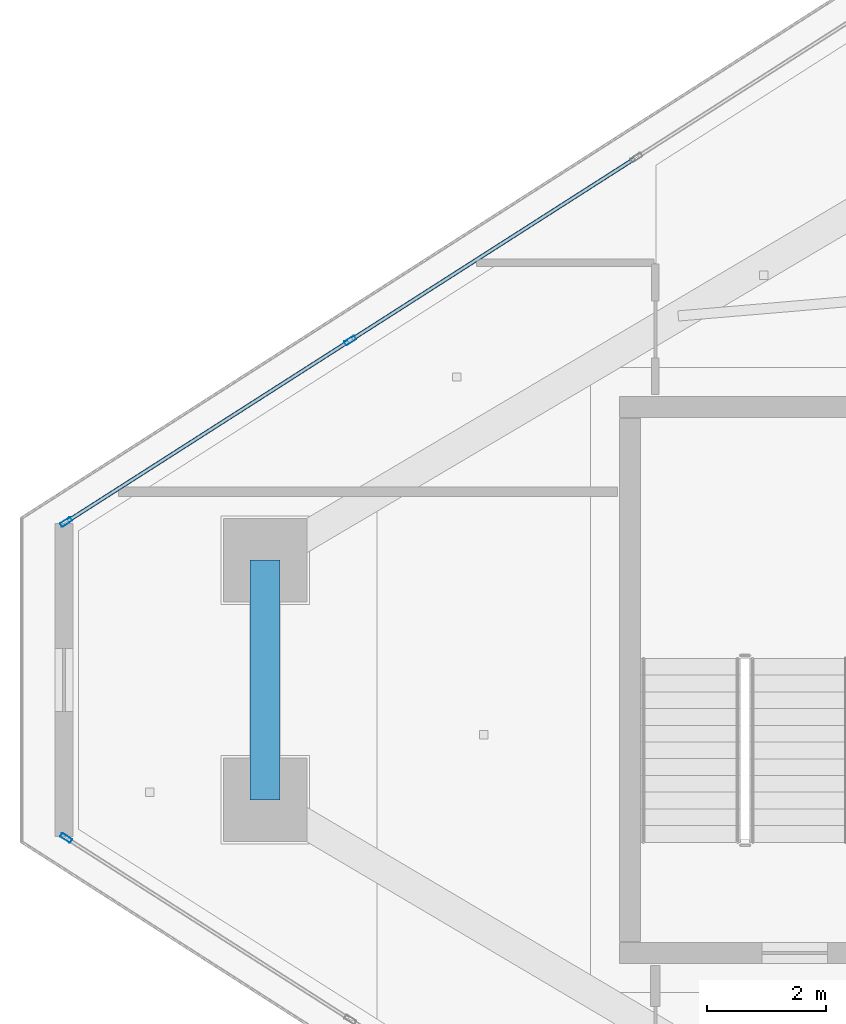
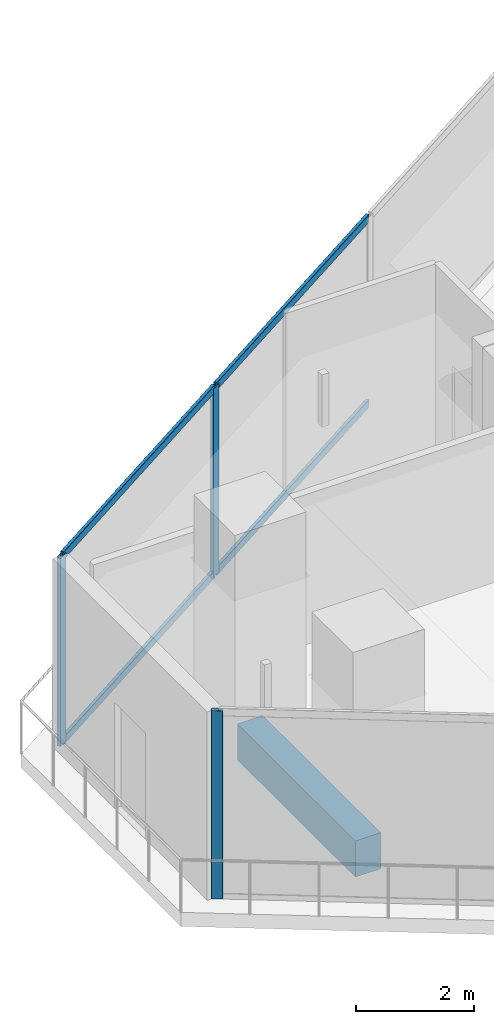
# One storey, part 6 of 24: 7 members, 1 beam, 2 elements without a shape of their own.
"""IFC4 building model written with IfcOpenShell, lengths in metres."""

from ifc_helpers import new_model, si_unit, direction, frame, origin, origin_2d, place, context, subcontext, project, spatial, rectangle, hollow_rectangle, extrude, material, layer, layer_set, material_profile, profile_set, type_object, element, aggregate, save


model = new_model("IFC4")

# Units and contexts
model_context = context("Model", 3, precision=1e-05, world=origin(), true_north=direction((0.0, 1.0)))
body_context = subcontext(model_context, "Body", "Model", "MODEL_VIEW")
ifc_project = project(units=[si_unit("LENGTHUNIT", "METRE"), si_unit("AREAUNIT", "SQUARE_METRE"), si_unit("VOLUMEUNIT", "CUBIC_METRE"), si_unit("PLANEANGLEUNIT", "RADIAN"), si_unit("MASSUNIT", "GRAM", prefix="KILO")], contexts=[model_context])

# Site, building, storey
site_placement = place(None, origin())
site = spatial("IfcSite", under=ifc_project, at=site_placement, CompositionType="ELEMENT")
building_placement = place(site_placement, origin())
building = spatial("IfcBuilding", under=site, at=building_placement, Name="Qorvath Tower", CompositionType="ELEMENT")
storey_placement = place(building_placement, frame((0.0, 0.0, 318.60009765625)))
storey = spatial("IfcBuildingStorey", under=building, at=storey_placement, Name="L74", CompositionType="ELEMENT", Elevation=318.60009765625)

# Beam
ifc_material_1 = material(Name="Concrete C45/55", Category="concrete")
ifc_material_profile_1 = material_profile(ifc_material_1, rectangle(XDim=0.5, YDim=0.75, at=origin_2d()), Name="RCB 750x500")
ifc_profile_set_1 = profile_set([ifc_material_profile_1], Name="Concrete C45/55")
beam_type = type_object("IfcBeamType", Name="BM-RCB3", PredefinedType="SPANDREL", material=ifc_profile_set_1)
beam_placement = place(storey_placement, frame((-44.402587890625, 2.007568359375, -0.6650390625), z_axis=(0.0, -1.0, 0.0), x_axis=(1.0, 0.0, 0.0)))
element("IfcBeam", 1, at=beam_placement, inside=storey, type_object=beam_type, Name="Perimeter Loggia Frame Beam MC1-MC2 L74", PredefinedType="SPANDREL", context=body_context, shape_type="SweptSolid", body=[
    extrude(rectangle(XDim=0.5, YDim=0.75, at=origin_2d()), origin(), (0.0, 0.0, 1.0), 4.01513671875),
])

# Curtain wall, member
ifc_material_2 = material(Name="Anodised aluminium and triple low-E glass", Category="aluminium")
ifc_layer = layer(ifc_material_2, 0.179931640625)
ifc_layer_set = layer_set([ifc_layer], Name="CW-SYS-4")
curtain_wall_type = type_object("IfcCurtainWallType", Name="CW-SYS-4", PredefinedType="NOTDEFINED", material=ifc_layer_set)
curtain_wall_1_placement = place(storey_placement, origin())
curtain_wall_1 = element("IfcCurtainWall", 2, at=curtain_wall_1_placement, inside=storey, type_object=curtain_wall_type, Name="Curtain Wall CW-4 CW-T-L74-2.1", PredefinedType="NOTDEFINED")
ifc_material_3 = material(Name="Anodised aluminium 6063-T6", Category="aluminium")
ifc_material_profile_2 = material_profile(ifc_material_3, hollow_rectangle(XDim=0.074951171875, YDim=0.199951171875, WallThickness=0.00390625, InnerFilletRadius=0.00390625, OuterFilletRadius=0.008056640625, at=origin_2d()), Name="CWM 200x75")
ifc_profile_set_2 = profile_set([ifc_material_profile_2], Name="Anodised aluminium 6063-T6")
member_type_1 = type_object("IfcMemberType", Name="CWM-200", PredefinedType="MULLION", material=ifc_profile_set_2)
member_1_placement = place(storey_placement, frame((-47.73828125, -2.647705078125, 0.0), z_axis=(0.0, 0.0, 1.0), x_axis=(0.538531704636, 0.842605247493, 0.0)))
member_1 = element("IfcMember", 3, at=member_1_placement, type_object=member_type_1, Name="CW-4 mullion 1", PredefinedType="MULLION", context=body_context, shape_type="SweptSolid", body=[
    extrude(hollow_rectangle(XDim=0.074951171875, YDim=0.199951171875, WallThickness=0.00390625, InnerFilletRadius=0.00390625, OuterFilletRadius=0.008056640625, at=origin_2d()), origin(), (0.0, 0.0, 1.0), 3.909912109375),
])
aggregate(curtain_wall_1, [member_1])

# Curtain wall, members
curtain_wall_2_placement = place(storey_placement, origin())
curtain_wall_2 = element("IfcCurtainWall", 4, at=curtain_wall_2_placement, inside=storey, type_object=curtain_wall_type, Name="Curtain Wall CW-4 CW-T-L74-16.1", PredefinedType="NOTDEFINED")
member_2_placement = place(storey_placement, frame((-42.973876953125, 5.692626953125, 0.0), z_axis=(0.0, 0.0, 1.0), x_axis=(0.538531704636, -0.842605247493, 0.0)))
member_2 = element("IfcMember", 5, at=member_2_placement, type_object=member_type_1, Name="CW-4 mullion 6", PredefinedType="MULLION", context=body_context, shape_type="SweptSolid", body=[
    extrude(hollow_rectangle(XDim=0.074951171875, YDim=0.199951171875, WallThickness=0.00390625, InnerFilletRadius=0.00390625, OuterFilletRadius=0.008056640625, at=origin_2d()), origin(), (0.0, 0.0, 1.0), 3.909912109375),
])
member_3_placement = place(storey_placement, frame((-47.73828125, 2.647705078125, 0.0), z_axis=(0.0, 0.0, 1.0), x_axis=(0.538531704636, -0.842605247493, 0.0)))
member_3 = element("IfcMember", 6, at=member_3_placement, type_object=member_type_1, Name="CW-4 mullion 7", PredefinedType="MULLION", context=body_context, shape_type="SweptSolid", body=[
    extrude(hollow_rectangle(XDim=0.074951171875, YDim=0.199951171875, WallThickness=0.00390625, InnerFilletRadius=0.00390625, OuterFilletRadius=0.008056640625, at=origin_2d()), origin(), (0.0, 0.0, 1.0), 3.909912109375),
])
ifc_material_4 = material(Name="Anodised aluminium 6063-T6", Category="aluminium")
ifc_material_profile_3 = material_profile(ifc_material_4, hollow_rectangle(XDim=0.06494140625, YDim=0.159912109375, WallThickness=0.00341796875, InnerFilletRadius=0.00341796875, OuterFilletRadius=0.007080078125, at=origin_2d()), Name="CWT 160x65")
ifc_profile_set_3 = profile_set([ifc_material_profile_3], Name="Anodised aluminium 6063-T6")
member_type_2 = type_object("IfcMemberType", Name="CWT-160", PredefinedType="USERDEFINED", material=ifc_profile_set_3)
member_4_placement = place(storey_placement, frame((-38.20947265625, 8.73779296875, 0.032470703125), z_axis=(-0.842607508841, -0.538528166436, 0.0), x_axis=(0.538528166436, -0.842607508841, 0.0)))
member_4 = element("IfcMember", 7, at=member_4_placement, type_object=member_type_2, Name="CW-4 transom 5.1", ObjectType="TRANSOM", PredefinedType="USERDEFINED", context=body_context, shape_type="SweptSolid", body=[
    extrude(hollow_rectangle(XDim=0.06494140625, YDim=0.159912109375, WallThickness=0.00341796875, InnerFilletRadius=0.00341796875, OuterFilletRadius=0.007080078125, at=origin_2d()), origin(), (0.0, 0.0, 1.0), 5.616943359375),
])
member_5_placement = place(storey_placement, frame((-38.20947265625, 8.73779296875, 3.87744140625), z_axis=(-0.842607508841, -0.538528166436, 0.0), x_axis=(0.538528166436, -0.842607508841, 0.0)))
member_5 = element("IfcMember", 8, at=member_5_placement, type_object=member_type_2, Name="CW-4 transom 5.2", ObjectType="TRANSOM", PredefinedType="USERDEFINED", context=body_context, shape_type="SweptSolid", body=[
    extrude(hollow_rectangle(XDim=0.06494140625, YDim=0.159912109375, WallThickness=0.00341796875, InnerFilletRadius=0.00341796875, OuterFilletRadius=0.007080078125, at=origin_2d()), origin(), (0.0, 0.0, 1.0), 5.616943359375),
])
member_6_placement = place(storey_placement, frame((-43.005615234375, 5.672607421875, 0.032470703125), z_axis=(-0.842585950362, -0.538561896399, 0.0), x_axis=(0.538561896399, -0.842585950362, 0.0)))
member_6 = element("IfcMember", 9, at=member_6_placement, type_object=member_type_2, Name="CW-4 transom 6.1", ObjectType="TRANSOM", PredefinedType="USERDEFINED", context=body_context, shape_type="SweptSolid", body=[
    extrude(hollow_rectangle(XDim=0.06494140625, YDim=0.159912109375, WallThickness=0.00341796875, InnerFilletRadius=0.00341796875, OuterFilletRadius=0.007080078125, at=origin_2d()), origin(), (0.0, 0.0, 1.0), 5.579345703125),
])
member_7_placement = place(storey_placement, frame((-43.005615234375, 5.672607421875, 3.87744140625), z_axis=(-0.842585950362, -0.538561896399, 0.0), x_axis=(0.538561896399, -0.842585950362, 0.0)))
member_7 = element("IfcMember", 10, at=member_7_placement, type_object=member_type_2, Name="CW-4 transom 6.2", ObjectType="TRANSOM", PredefinedType="USERDEFINED", context=body_context, shape_type="SweptSolid", body=[
    extrude(hollow_rectangle(XDim=0.06494140625, YDim=0.159912109375, WallThickness=0.00341796875, InnerFilletRadius=0.00341796875, OuterFilletRadius=0.007080078125, at=origin_2d()), origin(), (0.0, 0.0, 1.0), 5.579345703125),
])
aggregate(curtain_wall_2, [member_2, member_3, member_4, member_5, member_6, member_7])

save(model, "model.ifc")
